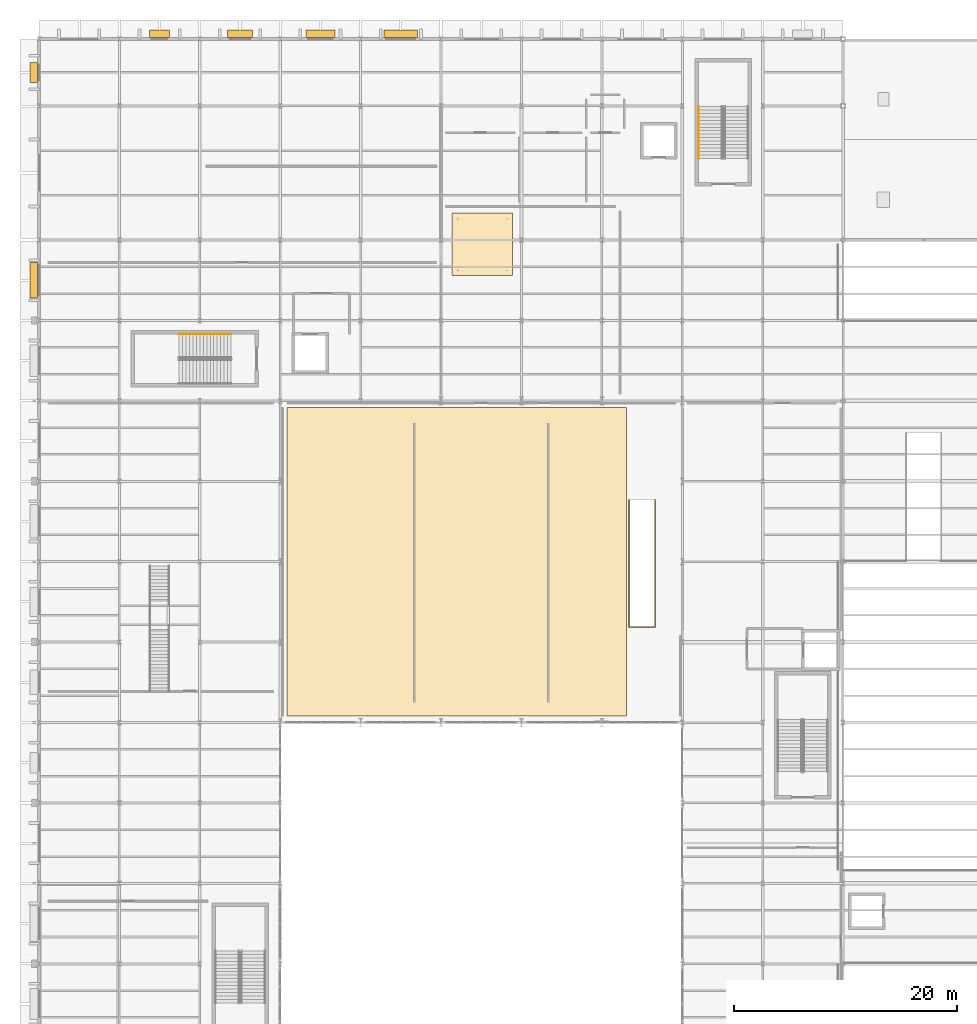
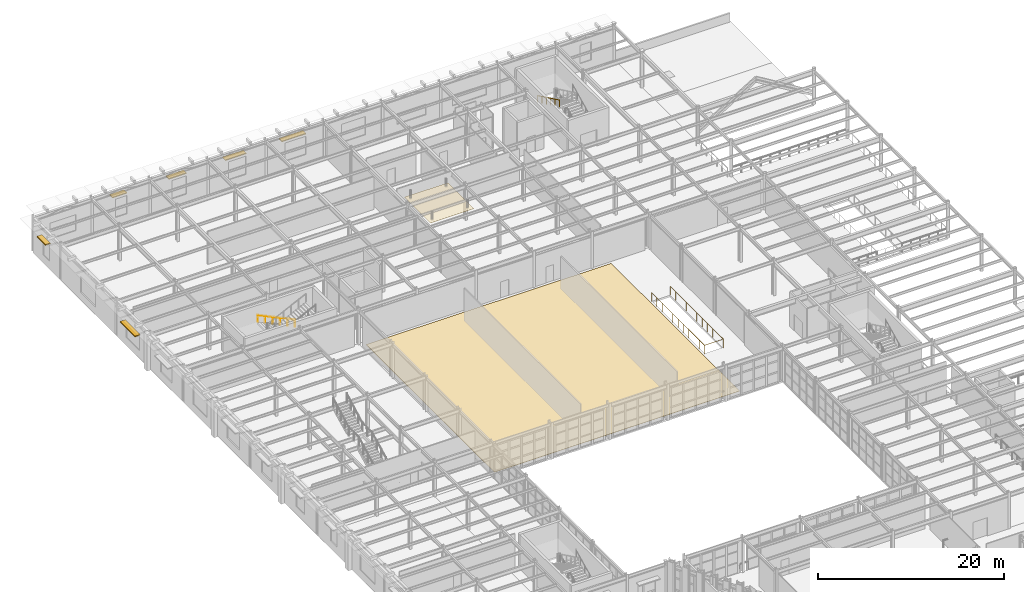
# One storey, part 123 of 126: 6 shading devices, 3 railings, 2 coverings.
"""IFC4 building model written with IfcOpenShell, lengths in metres."""

import ifcopenshell
import ifcopenshell.guid

model = None  # the IFC model being written
_history = None  # IfcOwnerHistory: only IFC2X3 demands one
_inside = {}  # id of a spatial element -> (the spatial element, [elements in it])
_under = {}  # id of a project, library or spatial element -> (it, [spatial elements below it])
_declared = {}  # id of a project -> (the project, [libraries it declares])
_typed = {}  # id of a type object -> (the type object, [elements of that type])
_made_of = {}  # id of a material, layer set ... -> (it, [elements and type objects made of it])


def new_model(schema):
    """Start an empty IFC model of exactly this schema.

    Asked for "IFC4X3", IfcOpenShell would pick the latest addendum, in which some entities
    have other attributes; the version numbers below select the first issue.
    IFC2X3 requires an IfcOwnerHistory on every rooted entity: one is made here for all.
    """
    global model, _history
    if schema == "IFC4X3":
        model = ifcopenshell.file(schema_version=(4, 3, 0, 0))
    else:
        model = ifcopenshell.file(schema=schema)
    _inside.clear()
    _under.clear()
    _declared.clear()
    _typed.clear()
    _made_of.clear()
    _history = None
    if model.schema == "IFC2X3":
        org = make("IfcOrganization", Name="unknown")
        user = make(
            "IfcPersonAndOrganization",
            ThePerson=make("IfcPerson", FamilyName="unknown"),
            TheOrganization=org,
        )
        app = make(
            "IfcApplication",
            ApplicationDeveloper=org,
            Version="unknown",
            ApplicationFullName="unknown",
            ApplicationIdentifier="unknown",
        )
        _history = make(
            "IfcOwnerHistory",
            OwningUser=user,
            OwningApplication=app,
            ChangeAction="ADDED",
            CreationDate=0,
        )
    return model


def make(cls, **values):
    """One entity of the class cls with the attributes given. An attribute that is None is left unset."""
    return model.create_entity(
        cls, **{name: value for name, value in values.items() if value is not None}
    )


def rooted(cls, **values):
    """An entity with a GlobalId (a new one), such as an element, a storey or a relation."""
    return make(cls, GlobalId=ifcopenshell.guid.new(), OwnerHistory=_history, **values)


def si_unit(unit_type, name, prefix=None):
    """IfcSIUnit, for example si_unit("LENGTHUNIT", "METRE", prefix="MILLI")."""
    return make("IfcSIUnit", UnitType=unit_type, Prefix=prefix, Name=name)


def assignment(units):
    """IfcUnitAssignment: the units of a project."""
    return None if units is None else make("IfcUnitAssignment", Units=units)


def point(xyz):
    """IfcCartesianPoint."""
    return None if xyz is None else make("IfcCartesianPoint", Coordinates=xyz)


def direction(xyz):
    """IfcDirection."""
    return None if xyz is None else make("IfcDirection", DirectionRatios=xyz)


def frame(location, z_axis=None, x_axis=None):
    """IfcAxis2Placement3D, a coordinate frame: its origin and axes. An axis left out is left unset."""
    return make(
        "IfcAxis2Placement3D",
        Location=point(location),
        Axis=direction(z_axis),
        RefDirection=direction(x_axis),
    )


def frame_2d(location, x_axis=None):
    """IfcAxis2Placement2D, a coordinate frame in the plane: its origin and x axis."""
    return make(
        "IfcAxis2Placement2D", Location=point(location), RefDirection=direction(x_axis)
    )


def origin():
    """The frame at (0, 0, 0) with its axes left unset."""
    return frame((0.0, 0.0, 0.0))


def origin_2d():
    """The frame at (0, 0) in the plane with its x axis left unset."""
    return frame_2d((0.0, 0.0))


def place(relative_to, where):
    """IfcLocalPlacement: puts the frame where relative to a parent placement (None: the world)."""
    return make(
        "IfcLocalPlacement", PlacementRelTo=relative_to, RelativePlacement=where
    )


def context(
    kind, dimensions, precision=None, world=None, true_north=None, identifier=None
):
    """IfcGeometricRepresentationContext, for example the 3D "Model" context."""
    return make(
        "IfcGeometricRepresentationContext",
        ContextIdentifier=identifier,
        ContextType=kind,
        CoordinateSpaceDimension=dimensions,
        Precision=precision,
        WorldCoordinateSystem=world,
        TrueNorth=true_north,
    )


def subcontext(parent, identifier, kind, view, scale=None):
    """IfcGeometricRepresentationSubContext, for example "Body" below "Model"."""
    return make(
        "IfcGeometricRepresentationSubContext",
        ContextIdentifier=identifier,
        ContextType=kind,
        ParentContext=parent,
        TargetScale=scale,
        TargetView=view,
    )


def project(units=None, contexts=None):
    """IfcProject with its units and contexts."""
    return rooted(
        "IfcProject",
        Name="project",
        RepresentationContexts=contexts,
        UnitsInContext=assignment(units),
    )


def spatial(cls, under=None, at=None, **own):
    """A site, building, storey or space (cls), placed at a placement, below another one or the project."""
    s = rooted(cls, ObjectPlacement=at, **own)
    if under is not None:
        _under.setdefault(under.id(), (under, []))[1].append(s)
    return s


def polyline(points):
    """IfcPolyline through the points."""
    return make("IfcPolyline", Points=[point(p) for p in points])


def profile(cls, at=None, kind="AREA", **sizes):
    """A parametric profile (cls). Its sizes go by their IFC names, for example OverallWidth=200.0."""
    return make(cls, ProfileType=kind, Position=at, **sizes)


def rectangle(**sizes):
    """IfcRectangleProfileDef."""
    return profile("IfcRectangleProfileDef", **sizes)


def circle(**sizes):
    """IfcCircleProfileDef."""
    return profile("IfcCircleProfileDef", **sizes)


def outline(outer, holes=None, kind="AREA"):
    """IfcArbitraryClosedProfileDef: a profile drawn as a closed curve; with holes, ...WithVoids."""
    if holes is None:
        return make("IfcArbitraryClosedProfileDef", ProfileType=kind, OuterCurve=outer)
    return make(
        "IfcArbitraryProfileDefWithVoids",
        ProfileType=kind,
        OuterCurve=outer,
        InnerCurves=holes,
    )


def extrude(swept, where, along, depth):
    """IfcExtrudedAreaSolid: the profile swept, set in the frame where, extruded along a direction by depth."""
    return make(
        "IfcExtrudedAreaSolid",
        SweptArea=swept,
        Position=where,
        ExtrudedDirection=direction(along),
        Depth=depth,
    )


def shape(context_of_items, identifier, shape_type, items):
    """IfcShapeRepresentation: the items that make up one representation, for example the "Body"."""
    return make(
        "IfcShapeRepresentation",
        ContextOfItems=context_of_items,
        RepresentationIdentifier=identifier,
        RepresentationType=shape_type,
        Items=items,
    )


def material(Name=None, Category=None):
    """IfcMaterial."""
    return make("IfcMaterial", Name=Name, Category=Category)


def layer(
    of_material, thickness, ventilated=None, Name=None, Category=None, Priority=None
):
    """IfcMaterialLayer: one layer of a wall or slab, of a material (None: an air gap)."""
    return make(
        "IfcMaterialLayer",
        Material=of_material,
        LayerThickness=thickness,
        IsVentilated=ventilated,
        Name=Name,
        Category=Category,
        Priority=Priority,
    )


def layer_set(layers, Name=None):
    """IfcMaterialLayerSet."""
    return make("IfcMaterialLayerSet", MaterialLayers=layers, LayerSetName=Name)


def made_of(thing, what):
    """Note that an element or type object is made of a material, layer set ...; save() writes the relation."""
    if what is not None:
        _made_of.setdefault(what.id(), (what, []))[1].append(thing)
    return thing


def type_object(cls, material=None, **own):
    """A type object (cls), such as IfcWallType, which elements share."""
    return made_of(rooted(cls, **own), material)


def element(
    cls,
    number,
    at=None,
    inside=None,
    cuts=None,
    type_object=None,
    material=None,
    context=None,
    identifier="Body",
    shape_type=None,
    held_by="IfcProductDefinitionShape",
    body=None,
    shapes=None,
    **own,
):
    """One element of the class cls, such as IfcWall. Its Tag is "e" and its number.

    at: its placement. inside: the storey or other place that contains it. cuts: it is an
    opening in that element (IfcRelVoidsElement). A single representation is given by context,
    identifier, shape_type and body (its items); several are given by shapes. held_by: the class
    of the entity that holds the representations. save() writes the other relations.
    """
    e = rooted(cls, Tag="e%d" % number, ObjectPlacement=at, **own)
    if body is not None:
        shapes = [shape(context, identifier, shape_type, body)]
    if shapes is not None:
        e.Representation = make(held_by, Representations=shapes)
    if inside is not None:
        _inside.setdefault(inside.id(), (inside, []))[1].append(e)
    if cuts is not None:
        rooted(
            "IfcRelVoidsElement", RelatingBuildingElement=cuts, RelatedOpeningElement=e
        )
    if type_object is not None:
        _typed.setdefault(type_object.id(), (type_object, []))[1].append(e)
    return made_of(e, material)


def aggregate(whole, parts):
    """IfcRelAggregates: a whole, such as a stair, and the parts it consists of."""
    return rooted("IfcRelAggregates", RelatingObject=whole, RelatedObjects=parts)


def save(model, path):
    """Write the relations noted so far, then the file.

    IfcRelAggregates (storeys below a building ...), IfcRelContainedInSpatialStructure (elements
    in a storey), IfcRelDefinesByType, IfcRelAssociatesMaterial and IfcRelDeclares: one each for
    every whole, place, type object, material and project.
    """
    for whole, parts in _under.values():
        aggregate(whole, parts)
    for where, things in _inside.values():
        rooted(
            "IfcRelContainedInSpatialStructure",
            RelatedElements=things,
            RelatingStructure=where,
        )
    for kind, things in _typed.values():
        rooted("IfcRelDefinesByType", RelatedObjects=things, RelatingType=kind)
    for what, things in _made_of.values():
        rooted("IfcRelAssociatesMaterial", RelatedObjects=things, RelatingMaterial=what)
    for by, libraries in _declared.values():
        rooted("IfcRelDeclares", RelatingContext=by, RelatedDefinitions=libraries)
    model.write(path)


model = new_model("IFC4")

# Units and contexts
model_context = context("Model", 3, precision=1e-05, world=origin(), true_north=direction((0.0, 1.0)))
body_context = subcontext(model_context, "Body", "Model", "MODEL_VIEW")
ifc_project = project(units=[si_unit("LENGTHUNIT", "METRE"), si_unit("AREAUNIT", "SQUARE_METRE"), si_unit("VOLUMEUNIT", "CUBIC_METRE"), si_unit("PLANEANGLEUNIT", "RADIAN"), si_unit("MASSUNIT", "GRAM", prefix="KILO")], contexts=[model_context])

# Site, building, storey
site_placement = place(None, origin())
site = spatial("IfcSite", under=ifc_project, at=site_placement, CompositionType="ELEMENT")
building_placement = place(site_placement, origin())
building = spatial("IfcBuilding", under=site, at=building_placement, Name="Solvadek Multi-Sports Hall", CompositionType="ELEMENT")
storey_placement = place(building_placement, frame((0.0, 0.0, 9.60009765625)))
storey = spatial("IfcBuildingStorey", under=building, at=storey_placement, Name="L02", CompositionType="ELEMENT", Elevation=9.60009765625)

# Shading devices
ifc_material_1 = material(Name="Perforated champagne-bronze anodised aluminium", Category="aluminium")
shading_device_type_1 = type_object("IfcShadingDeviceType", Name="ENV-SHD-CHAJJA1", PredefinedType="JALOUSIE", material=ifc_material_1)
shading_device_1_placement = place(storey_placement, frame((-0.469482421875, 88.800048828125, 3.119873046875), z_axis=(0.0, 0.0, 1.0), x_axis=(0.0, 1.0, 0.0)))
element("IfcShadingDevice", 1, at=shading_device_1_placement, inside=storey, type_object=shading_device_type_1, Name="L02 Chajja Solar Shading Hood #25", PredefinedType="JALOUSIE", context=body_context, shape_type="SweptSolid", body=[
    extrude(rectangle(XDim=3.199951171875, YDim=0.639892578125, at=origin_2d()), origin(), (0.0, 0.0, 1.0), 0.1201171875),
])
shading_device_2_placement = place(storey_placement, frame((25.199951171875, 110.869384765625, 3.419921875), z_axis=(0.0, 0.0, 1.0), x_axis=(1.0, 0.0, 0.0)))
element("IfcShadingDevice", 2, at=shading_device_2_placement, inside=storey, type_object=shading_device_type_1, Name="L02 Chajja Solar Shading Hood #37", PredefinedType="JALOUSIE", context=body_context, shape_type="SweptSolid", body=[
    extrude(rectangle(XDim=2.60009765625, YDim=0.639892578125, at=origin_2d()), origin(), (0.0, 0.0, 1.0), 0.1201171875),
])
shading_device_3_placement = place(storey_placement, frame((32.39990234375, 110.869384765625, 3.419921875), z_axis=(0.0, 0.0, 1.0), x_axis=(1.0, 0.0, 0.0)))
element("IfcShadingDevice", 3, at=shading_device_3_placement, inside=storey, type_object=shading_device_type_1, Name="L02 Chajja Solar Shading Hood #39", PredefinedType="JALOUSIE", context=body_context, shape_type="SweptSolid", body=[
    extrude(rectangle(XDim=3.0, YDim=0.639892578125, at=origin_2d()), origin(), (0.0, 0.0, 1.0), 0.1201171875),
])
shading_device_type_2 = type_object("IfcShadingDeviceType", Name="ENV-SHD-CHAJJA2", PredefinedType="JALOUSIE", material=ifc_material_1)
for number, where, z_axis, x_axis, name in (
    (4, (-0.469482421875, 107.39990234375, 3.419921875), (0.0, 0.0, 1.0), (0.0, 1.0, 0.0), "L02 Chajja Solar Shading Hood #28"),
    (5, (10.800048828125, 110.869384765625, 3.419921875), (0.0, 0.0, 1.0), (1.0, 0.0, 0.0), "L02 Chajja Solar Shading Hood #32"),
):
    element("IfcShadingDevice", number, at=place(storey_placement, frame(where, z_axis=z_axis, x_axis=x_axis)), inside=storey, type_object=shading_device_type_2, Name=name, PredefinedType="JALOUSIE", context=body_context, shape_type="SweptSolid", body=[
        extrude(rectangle(XDim=1.800048828125, YDim=0.639892578125, at=origin_2d()), origin(), (0.0, 0.0, 1.0), 0.1201171875),
    ])
shading_device_4_placement = place(storey_placement, frame((18.0, 110.869384765625, 3.419921875), z_axis=(0.0, 0.0, 1.0), x_axis=(1.0, 0.0, 0.0)))
element("IfcShadingDevice", 6, at=shading_device_4_placement, inside=storey, type_object=shading_device_type_2, Name="L02 Chajja Solar Shading Hood #34", PredefinedType="JALOUSIE", context=body_context, shape_type="SweptSolid", body=[
    extrude(rectangle(XDim=2.199951171875, YDim=0.639892578125, at=origin_2d()), origin(), (0.0, 0.0, 1.0), 0.1201171875),
])

# Coverings
ifc_material_2 = material(Name="Acoustic mineral-wool ceiling tile")
ifc_layer_1 = layer(ifc_material_2, 0.02490234375, Name="Acoustic mineral-wool ceiling tile")
ifc_layer_set_1 = layer_set([ifc_layer_1], Name="Acoustic mineral-wool ceiling tile")
covering_type_1 = type_object("IfcCoveringType", Name="INT-COV-CEIL", PredefinedType="CEILING", material=ifc_layer_set_1)
covering_1_placement = place(storey_placement, frame((0.0, 0.0, 3.599853515625)))
element("IfcCovering", 7, at=covering_1_placement, inside=storey, type_object=covering_type_1, Name="L02 Acoustic Suspended Ceiling Raft #6", PredefinedType="CEILING", context=body_context, shape_type="SweptSolid", body=[
    extrude(outline(polyline([(37.0, 89.199951171875), (42.39990234375, 89.199951171875), (42.39990234375, 94.800048828125), (37.0, 94.800048828125), (37.0, 89.199951171875)])), origin(), (0.0, 0.0, 1.0), 0.025146484375),
])
ifc_material_3 = material(Name="Sprung maple sports flooring")
ifc_layer_2 = layer(ifc_material_3, 0.034912109375, Name="Sprung maple sports flooring")
ifc_layer_set_2 = layer_set([ifc_layer_2], Name="Sprung maple sports flooring")
covering_type_2 = type_object("IfcCoveringType", Name="INT-COV-MAPLE", PredefinedType="FLOORING", material=ifc_layer_set_2)
covering_2_placement = place(storey_placement, origin())
element("IfcCovering", 8, at=covering_2_placement, inside=storey, type_object=covering_type_2, Name="Six-Court Training Hall Sprung Maple Floor", PredefinedType="FLOORING", context=body_context, shape_type="SweptSolid", body=[
    extrude(outline(polyline([(22.199951171875, 49.800048828125), (52.60009765625, 49.800048828125), (52.60009765625, 77.39990234375), (22.199951171875, 77.39990234375), (22.199951171875, 49.800048828125)])), origin(), (0.0, 0.0, 1.0), 0.034912109375),
])

# Railings
ifc_material_4 = material(Name="Steel E250 (250 MPa)", Category="steel")
railing_type_1 = type_object("IfcRailingType", Name="INT-RAL-GRD115", PredefinedType="BALUSTRADE", material=ifc_material_4)
railing_1_placement = place(storey_placement, frame((52.840087890625, 69.1201171875, 0.0)))
element("IfcRailing", 9, at=railing_1_placement, inside=storey, type_object=railing_type_1, Name="L02 Void Edge Balustrade Guard #37", PredefinedType="BALUSTRADE", context=body_context, shape_type="SweptSolid", body=[
    extrude(circle(Radius=0.02392578125, at=origin_2d()), frame((0.0, 0.0, 1.1259765625), z_axis=(0.0, -1.0, 0.0), x_axis=(1.0, 0.0, 0.0)), (0.0, 0.0, 1.0), 11.380126953125),
    extrude(circle(Radius=0.02392578125, at=origin_2d()), frame((0.0, -11.380126953125, 1.1259765625), z_axis=(1.0, 0.0, 0.0), x_axis=(0.0, 1.0, 0.0)), (0.0, 0.0, 1.0), 2.31982421875),
    extrude(circle(Radius=0.02392578125, at=origin_2d()), frame((2.31982421875, -11.380126953125, 1.1259765625), z_axis=(0.0, 1.0, 0.0), x_axis=(-1.0, 0.0, 0.0)), (0.0, 0.0, 1.0), 11.380126953125),
    extrude(circle(Radius=0.02099609375, at=origin_2d()), origin(), (0.0, 0.0, 1.0), 1.101806640625),
    extrude(circle(Radius=0.02099609375, at=origin_2d()), frame((0.0, -1.137939453125, 0.0)), (0.0, 0.0, 1.0), 1.101806640625),
    extrude(circle(Radius=0.02099609375, at=origin_2d()), frame((0.0, -2.276123046875, 0.0)), (0.0, 0.0, 1.0), 1.101806640625),
    extrude(circle(Radius=0.02099609375, at=origin_2d()), frame((0.0, -3.4140625, 0.0)), (0.0, 0.0, 1.0), 1.101806640625),
    extrude(circle(Radius=0.02099609375, at=origin_2d()), frame((0.0, -4.552001953125, 0.0)), (0.0, 0.0, 1.0), 1.101806640625),
    extrude(circle(Radius=0.02099609375, at=origin_2d()), frame((0.0, -5.68994140625, 0.0)), (0.0, 0.0, 1.0), 1.101806640625),
    extrude(circle(Radius=0.02099609375, at=origin_2d()), frame((0.0, -6.828125, 0.0)), (0.0, 0.0, 1.0), 1.101806640625),
    extrude(circle(Radius=0.02099609375, at=origin_2d()), frame((0.0, -7.966064453125, 0.0)), (0.0, 0.0, 1.0), 1.101806640625),
    extrude(circle(Radius=0.02099609375, at=origin_2d()), frame((0.0, -9.10400390625, 0.0)), (0.0, 0.0, 1.0), 1.101806640625),
    extrude(circle(Radius=0.02099609375, at=origin_2d()), frame((0.0, -10.2421875, 0.0)), (0.0, 0.0, 1.0), 1.101806640625),
    extrude(circle(Radius=0.02099609375, at=origin_2d()), frame((0.0, -11.380126953125, 0.0)), (0.0, 0.0, 1.0), 1.101806640625),
    extrude(circle(Radius=0.02099609375, at=origin_2d()), frame((1.159912109375, -11.380126953125, 0.0)), (0.0, 0.0, 1.0), 1.101806640625),
    extrude(circle(Radius=0.02099609375, at=origin_2d()), frame((2.31982421875, -11.380126953125, 0.0)), (0.0, 0.0, 1.0), 1.101806640625),
    extrude(circle(Radius=0.02099609375, at=origin_2d()), frame((2.31982421875, -10.2421875, 0.0)), (0.0, 0.0, 1.0), 1.101806640625),
    extrude(circle(Radius=0.02099609375, at=origin_2d()), frame((2.31982421875, -9.10400390625, 0.0)), (0.0, 0.0, 1.0), 1.101806640625),
    extrude(circle(Radius=0.02099609375, at=origin_2d()), frame((2.31982421875, -7.966064453125, 0.0)), (0.0, 0.0, 1.0), 1.101806640625),
    extrude(circle(Radius=0.02099609375, at=origin_2d()), frame((2.31982421875, -6.828125, 0.0)), (0.0, 0.0, 1.0), 1.101806640625),
    extrude(circle(Radius=0.02099609375, at=origin_2d()), frame((2.31982421875, -5.68994140625, 0.0)), (0.0, 0.0, 1.0), 1.101806640625),
    extrude(circle(Radius=0.02099609375, at=origin_2d()), frame((2.31982421875, -4.552001953125, 0.0)), (0.0, 0.0, 1.0), 1.101806640625),
    extrude(circle(Radius=0.02099609375, at=origin_2d()), frame((2.31982421875, -3.4140625, 0.0)), (0.0, 0.0, 1.0), 1.101806640625),
    extrude(circle(Radius=0.02099609375, at=origin_2d()), frame((2.31982421875, -2.276123046875, 0.0)), (0.0, 0.0, 1.0), 1.101806640625),
    extrude(circle(Radius=0.02099609375, at=origin_2d()), frame((2.31982421875, -1.137939453125, 0.0)), (0.0, 0.0, 1.0), 1.101806640625),
    extrude(circle(Radius=0.02099609375, at=origin_2d()), frame((2.31982421875, 0.0, 0.0)), (0.0, 0.0, 1.0), 1.101806640625),
])
railing_type_2 = type_object("IfcRailingType", Name="INT-RAL-HND090", PredefinedType="HANDRAIL", material=ifc_material_4)
railing_2_placement = place(storey_placement, frame((17.199951171875, 84.0, 0.14990234375)))
element("IfcRailing", 10, at=railing_2_placement, inside=storey, type_object=railing_type_2, Name="L02 ST-02 stair handrail 1", PredefinedType="HANDRAIL", context=body_context, shape_type="SweptSolid", body=[
    extrude(circle(Radius=0.02392578125, at=origin_2d()), frame((0.0, 0.0, 0.8759765625), z_axis=(-0.900155664878, 0.0, 0.435568340204), x_axis=(0.0, -1.0, 0.0)), (0.0, 0.0, 1.0), 5.165771484375),
    extrude(circle(Radius=0.02099609375, at=origin_2d()), origin(), (0.0, 0.0, 1.0), 0.851806640625),
    extrude(circle(Radius=0.02099609375, at=origin_2d()), frame((-0.929931640625, 0.0, 0.449951171875)), (0.0, 0.0, 1.0), 0.851806640625),
    extrude(circle(Radius=0.02099609375, at=origin_2d()), frame((-1.85986328125, 0.0, 0.89990234375)), (0.0, 0.0, 1.0), 0.851806640625),
    extrude(circle(Radius=0.02099609375, at=origin_2d()), frame((-2.7900390625, 0.0, 1.35009765625)), (0.0, 0.0, 1.0), 0.851806640625),
    extrude(circle(Radius=0.02099609375, at=origin_2d()), frame((-3.719970703125, 0.0, 1.800048828125)), (0.0, 0.0, 1.0), 0.851806640625),
    extrude(circle(Radius=0.02099609375, at=origin_2d()), frame((-4.64990234375, 0.0, 2.25)), (0.0, 0.0, 1.0), 0.851806640625),
])
railing_3_placement = place(storey_placement, frame((59.050048828125, 104.35009765625, 2.5498046875)))
element("IfcRailing", 11, at=railing_3_placement, inside=storey, type_object=railing_type_2, Name="L02 ST-03 stair handrail 2", PredefinedType="HANDRAIL", context=body_context, shape_type="SweptSolid", body=[
    extrude(circle(Radius=0.02392578125, at=origin_2d()), frame((0.0, 0.0, 0.8759765625), z_axis=(0.0, -0.900164630878, 0.435549810373), x_axis=(1.0, 0.0, 0.0)), (0.0, 0.0, 1.0), 5.165771484375),
    extrude(circle(Radius=0.02099609375, at=origin_2d()), origin(), (0.0, 0.0, 1.0), 0.851806640625),
    extrude(circle(Radius=0.02099609375, at=origin_2d()), frame((0.0, -0.929931640625, 0.449951171875)), (0.0, 0.0, 1.0), 0.851806640625),
    extrude(circle(Radius=0.02099609375, at=origin_2d()), frame((0.0, -1.860107421875, 0.89990234375)), (0.0, 0.0, 1.0), 0.851806640625),
    extrude(circle(Radius=0.02099609375, at=origin_2d()), frame((0.0, -2.7900390625, 1.35009765625)), (0.0, 0.0, 1.0), 0.851806640625),
    extrude(circle(Radius=0.02099609375, at=origin_2d()), frame((0.0, -3.72021484375, 1.800048828125)), (0.0, 0.0, 1.0), 0.851806640625),
    extrude(circle(Radius=0.02099609375, at=origin_2d()), frame((0.0, -4.650146484375, 2.25)), (0.0, 0.0, 1.0), 0.851806640625),
])

save(model, "model.ifc")
